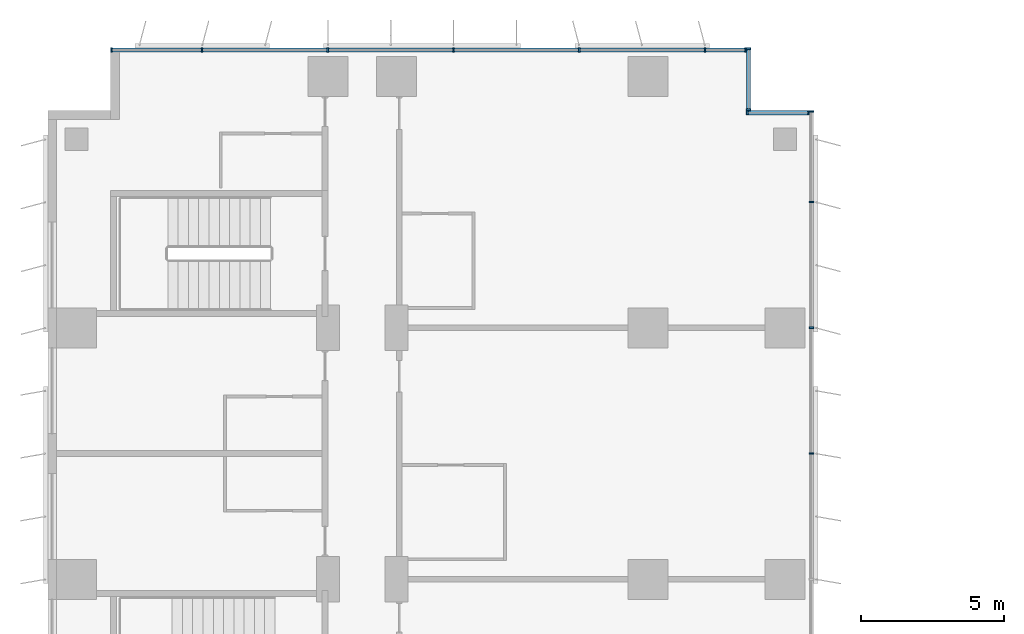
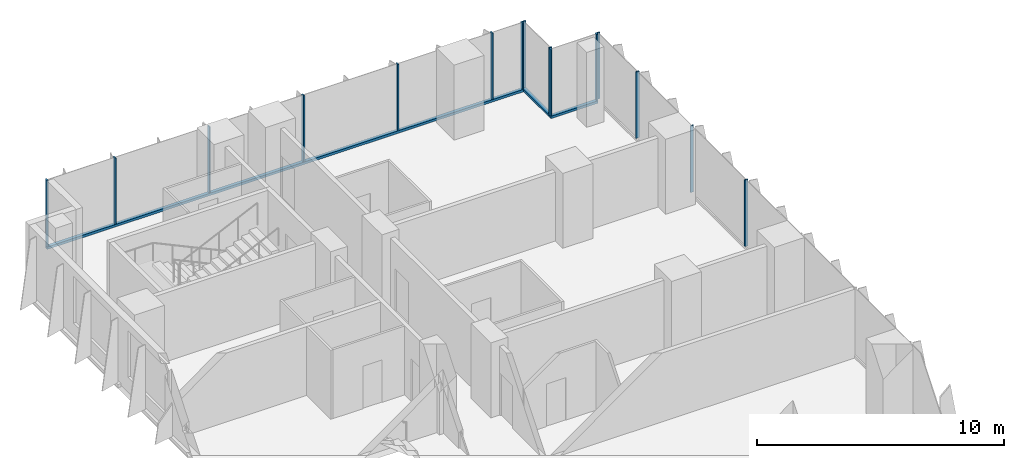
# One storey, part 9 of 24: 18 members, 4 elements without a shape of their own.
"""IFC4 building model written with IfcOpenShell, lengths in metres."""

from ifc_helpers import new_model, si_unit, direction, frame, origin, origin_2d, place, context, subcontext, project, spatial, rectangle, extrude, source, transform, mapped, material, material_profile, profile_set, type_object, element, aggregate, save


model = new_model("IFC4")

# Units and contexts
model_context = context("Model", 3, precision=1e-05, world=origin(), true_north=direction((0.0, 1.0)))
body_context = subcontext(model_context, "Body", "Model", "MODEL_VIEW")
ifc_project = project(units=[si_unit("LENGTHUNIT", "METRE"), si_unit("AREAUNIT", "SQUARE_METRE"), si_unit("VOLUMEUNIT", "CUBIC_METRE"), si_unit("PLANEANGLEUNIT", "RADIAN"), si_unit("MASSUNIT", "GRAM", prefix="KILO")], contexts=[model_context])

# Site, building, storey
site_placement = place(None, origin())
site = spatial("IfcSite", under=ifc_project, at=site_placement, CompositionType="ELEMENT")
building_placement = place(site_placement, origin())
building = spatial("IfcBuilding", under=site, at=building_placement, Name="Kemantara Hotel Tower", CompositionType="ELEMENT")
storey_placement = place(building_placement, frame((0.0, 0.0, 48.800048828125)))
storey = spatial("IfcBuildingStorey", under=building, at=storey_placement, Name="L10", CompositionType="ELEMENT", Elevation=48.800048828125)

# Curtain wall, member
ifc_material_1 = material(Name="Low-E tinted double insulated glass 36 mm", Category="glass")
curtain_wall_type = type_object("IfcCurtainWallType", Name="TOWER CURTAIN WALL, FRONT FACES", PredefinedType="USERDEFINED", material=ifc_material_1)
curtain_wall_1_placement = place(storey_placement, origin())
curtain_wall_1 = element("IfcCurtainWall", 1, at=curtain_wall_1_placement, inside=storey, type_object=curtain_wall_type, Name="CW4 L10 T1-R11-1", ObjectType="TOWER CURTAIN WALL, FRONT FACES", PredefinedType="USERDEFINED")
ifc_material_2 = material(Name="Aluminium 6063-T6 bronze anodised", Category="aluminium")
ifc_material_profile_1 = material_profile(ifc_material_2, rectangle(XDim=0.14990234375, YDim=0.1201171875, at=origin_2d()), Name="TOWER CURTAIN WALL, FRONT FACES TRANSOM")
ifc_profile_set_1 = profile_set([ifc_material_profile_1], Name="Aluminium 6063-T6 bronze anodised")
member_type_1 = type_object("IfcMemberType", Name="TOWER CURTAIN WALL, FRONT FACES TRANSOM", PredefinedType="USERDEFINED", material=ifc_profile_set_1)
member_1_placement = place(storey_placement, frame((24.449951171875, 81.125, 0.06005859375), z_axis=(-1.0, 0.0, 0.0), x_axis=(0.0, -1.0, 0.0)))
member_1 = element("IfcMember", 2, at=member_1_placement, type_object=member_type_1, Name="CW4 sill transom T1-R11-1", ObjectType="TRANSOM", PredefinedType="USERDEFINED", context=body_context, shape_type="SweptSolid", body=[
    extrude(rectangle(XDim=0.14990234375, YDim=0.1201171875, at=origin_2d()), origin(), (0.0, 0.0, 1.0), 22.25),
])

curtain_wall_2_placement = place(storey_placement, origin())
curtain_wall_2 = element("IfcCurtainWall", 3, at=curtain_wall_2_placement, inside=storey, type_object=curtain_wall_type, Name="CW4 L10 T1-R09-1", ObjectType="TOWER CURTAIN WALL, FRONT FACES", PredefinedType="USERDEFINED")
member_2_placement = place(storey_placement, frame((26.64990234375, 78.925048828125, 0.06005859375), z_axis=(-1.0, 0.0, 0.0), x_axis=(0.0, -1.0, 0.0)))
member_2 = element("IfcMember", 4, at=member_2_placement, type_object=member_type_1, Name="CW4 sill transom T1-R09-1", ObjectType="TRANSOM", PredefinedType="USERDEFINED", context=body_context, shape_type="SweptSolid", body=[
    extrude(rectangle(XDim=0.14990234375, YDim=0.1201171875, at=origin_2d()), origin(), (0.0, 0.0, 1.0), 2.199951171875),
])

curtain_wall_3_placement = place(storey_placement, origin())
curtain_wall_3 = element("IfcCurtainWall", 5, at=curtain_wall_3_placement, inside=storey, type_object=curtain_wall_type, Name="CW4 L10 T1-R10-1", ObjectType="TOWER CURTAIN WALL, FRONT FACES", PredefinedType="USERDEFINED")
member_3_placement = place(storey_placement, frame((24.52490234375, 79.0, 0.06005859375), z_axis=(0.0, 1.0, 0.0), x_axis=(-1.0, 0.0, 0.0)))
member_3 = element("IfcMember", 6, at=member_3_placement, type_object=member_type_1, Name="CW4 sill transom T1-R10-1", ObjectType="TRANSOM", PredefinedType="USERDEFINED", context=body_context, shape_type="SweptSolid", body=[
    extrude(rectangle(XDim=0.14990234375, YDim=0.1201171875, at=origin_2d()), origin(), (0.0, 0.0, 1.0), 2.199951171875),
])

# Curtain wall, members
curtain_wall_4_placement = place(storey_placement, origin())
curtain_wall_4 = element("IfcCurtainWall", 7, at=curtain_wall_4_placement, inside=storey, type_object=curtain_wall_type, Name="CW4 L10 T1-R08-1", ObjectType="TOWER CURTAIN WALL, FRONT FACES", PredefinedType="USERDEFINED")
ifc_material_profile_2 = material_profile(ifc_material_2, rectangle(XDim=0.14990234375, YDim=0.06005859375, at=origin_2d()), Name="TOWER CURTAIN WALL, FRONT FACES MULLION")
ifc_profile_set_2 = profile_set([ifc_material_profile_2], Name="Aluminium 6063-T6 bronze anodised")
member_type_2 = type_object("IfcMemberType", Name="TOWER CURTAIN WALL, FRONT FACES MULLION", PredefinedType="MULLION", material=ifc_profile_set_2)
shared_shape = source(origin(), body_context, "Body", "SweptSolid", [
    extrude(rectangle(XDim=0.14990234375, YDim=0.06005859375, at=origin_2d()), origin(), (0.0, 0.0, 1.0), 3.280029296875),
])
member_4_placement = place(storey_placement, frame((26.72509765625, 67.0, 0.119873046875), z_axis=(0.0, 0.0, 1.0), x_axis=(-1.0, 0.0, 0.0)))
member_4 = element("IfcMember", 8, at=member_4_placement, type_object=member_type_2, Name="CW4 mullion T1-R08-1.11", PredefinedType="MULLION", context=body_context, shape_type="MappedRepresentation", body=[
    mapped(shared_shape, transform((0.0, 0.0, 0.0))),
])
member_5_placement = place(storey_placement, frame((26.72509765625, 71.39990234375, 0.119873046875), z_axis=(0.0, 0.0, 1.0), x_axis=(-1.0, 0.0, 0.0)))
member_5 = element("IfcMember", 9, at=member_5_placement, type_object=member_type_2, Name="CW4 mullion T1-R08-1.12", PredefinedType="MULLION", context=body_context, shape_type="MappedRepresentation", body=[
    mapped(shared_shape, transform((0.0, 0.0, 0.0))),
])
member_6_placement = place(storey_placement, frame((26.72509765625, 75.800048828125, 0.119873046875), z_axis=(0.0, 0.0, 1.0), x_axis=(-1.0, 0.0, 0.0)))
member_6 = element("IfcMember", 10, at=member_6_placement, type_object=member_type_2, Name="CW4 mullion T1-R08-1.13", PredefinedType="MULLION", context=body_context, shape_type="MappedRepresentation", body=[
    mapped(shared_shape, transform((0.0, 0.0, 0.0))),
])
member_7_placement = place(storey_placement, frame((26.72509765625, 78.969970703125, 0.119873046875), z_axis=(0.0, 0.0, 1.0), x_axis=(-1.0, 0.0, 0.0)))
member_7 = element("IfcMember", 11, at=member_7_placement, type_object=member_type_2, Name="CW4 mullion T1-R08-1.14", PredefinedType="MULLION", context=body_context, shape_type="MappedRepresentation", body=[
    mapped(shared_shape, transform((0.0, 0.0, 0.0))),
])
aggregate(curtain_wall_4, [member_4, member_5, member_6, member_7])

# Member
member_8_placement = place(storey_placement, frame((24.419921875, 81.125, 0.119873046875), z_axis=(0.0, 0.0, 1.0), x_axis=(0.0, -1.0, 0.0)))
member_8 = element("IfcMember", 12, at=member_8_placement, type_object=member_type_2, Name="CW4 mullion T1-R11-1.1", PredefinedType="MULLION", context=body_context, shape_type="MappedRepresentation", body=[
    mapped(shared_shape, transform((0.0, 0.0, 0.0))),
])

member_9_placement = place(storey_placement, frame((23.0, 81.125, 0.119873046875), z_axis=(0.0, 0.0, 1.0), x_axis=(0.0, -1.0, 0.0)))
member_9 = element("IfcMember", 13, at=member_9_placement, type_object=member_type_2, Name="CW4 mullion T1-R11-1.2", PredefinedType="MULLION", context=body_context, shape_type="MappedRepresentation", body=[
    mapped(shared_shape, transform((0.0, 0.0, 0.0))),
])

member_10_placement = place(storey_placement, frame((18.60009765625, 81.125, 0.119873046875), z_axis=(0.0, 0.0, 1.0), x_axis=(0.0, -1.0, 0.0)))
member_10 = element("IfcMember", 14, at=member_10_placement, type_object=member_type_2, Name="CW4 mullion T1-R11-1.3", PredefinedType="MULLION", context=body_context, shape_type="MappedRepresentation", body=[
    mapped(shared_shape, transform((0.0, 0.0, 0.0))),
])

member_11_placement = place(storey_placement, frame((14.199951171875, 81.125, 0.119873046875), z_axis=(0.0, 0.0, 1.0), x_axis=(0.0, -1.0, 0.0)))
member_11 = element("IfcMember", 15, at=member_11_placement, type_object=member_type_2, Name="CW4 mullion T1-R11-1.4", PredefinedType="MULLION", context=body_context, shape_type="MappedRepresentation", body=[
    mapped(shared_shape, transform((0.0, 0.0, 0.0))),
])

member_12_placement = place(storey_placement, frame((9.800048828125, 81.125, 0.119873046875), z_axis=(0.0, 0.0, 1.0), x_axis=(0.0, -1.0, 0.0)))
member_12 = element("IfcMember", 16, at=member_12_placement, type_object=member_type_2, Name="CW4 mullion T1-R11-1.5", PredefinedType="MULLION", context=body_context, shape_type="MappedRepresentation", body=[
    mapped(shared_shape, transform((0.0, 0.0, 0.0))),
])

member_13_placement = place(storey_placement, frame((5.39990234375, 81.125, 0.119873046875), z_axis=(0.0, 0.0, 1.0), x_axis=(0.0, -1.0, 0.0)))
member_13 = element("IfcMember", 17, at=member_13_placement, type_object=member_type_2, Name="CW4 mullion T1-R11-1.6", PredefinedType="MULLION", context=body_context, shape_type="MappedRepresentation", body=[
    mapped(shared_shape, transform((0.0, 0.0, 0.0))),
])

member_14_placement = place(storey_placement, frame((2.22998046875, 81.125, 0.119873046875), z_axis=(0.0, 0.0, 1.0), x_axis=(0.0, -1.0, 0.0)))
member_14 = element("IfcMember", 18, at=member_14_placement, type_object=member_type_2, Name="CW4 mullion T1-R11-1.7", PredefinedType="MULLION", context=body_context, shape_type="MappedRepresentation", body=[
    mapped(shared_shape, transform((0.0, 0.0, 0.0))),
])

aggregate(curtain_wall_1, [member_1, member_8, member_9, member_10, member_11, member_12, member_13, member_14])

member_15_placement = place(storey_placement, frame((26.6201171875, 78.925048828125, 0.119873046875), z_axis=(0.0, 0.0, 1.0), x_axis=(0.0, -1.0, 0.0)))
member_15 = element("IfcMember", 19, at=member_15_placement, type_object=member_type_2, Name="CW4 mullion T1-R09-1.1", PredefinedType="MULLION", context=body_context, shape_type="MappedRepresentation", body=[
    mapped(shared_shape, transform((0.0, 0.0, 0.0))),
])

member_16_placement = place(storey_placement, frame((24.47998046875, 78.925048828125, 0.119873046875), z_axis=(0.0, 0.0, 1.0), x_axis=(0.0, -1.0, 0.0)))
member_16 = element("IfcMember", 20, at=member_16_placement, type_object=member_type_2, Name="CW4 mullion T1-R09-1.2", PredefinedType="MULLION", context=body_context, shape_type="MappedRepresentation", body=[
    mapped(shared_shape, transform((0.0, 0.0, 0.0))),
])

aggregate(curtain_wall_2, [member_2, member_15, member_16])

member_17_placement = place(storey_placement, frame((24.52490234375, 79.030029296875, 0.119873046875), z_axis=(0.0, 0.0, 1.0), x_axis=(-1.0, 0.0, 0.0)))
member_17 = element("IfcMember", 21, at=member_17_placement, type_object=member_type_2, Name="CW4 mullion T1-R10-1.1", PredefinedType="MULLION", context=body_context, shape_type="MappedRepresentation", body=[
    mapped(shared_shape, transform((0.0, 0.0, 0.0))),
])

member_18_placement = place(storey_placement, frame((24.52490234375, 81.169921875, 0.119873046875), z_axis=(0.0, 0.0, 1.0), x_axis=(-1.0, 0.0, 0.0)))
member_18 = element("IfcMember", 22, at=member_18_placement, type_object=member_type_2, Name="CW4 mullion T1-R10-1.2", PredefinedType="MULLION", context=body_context, shape_type="MappedRepresentation", body=[
    mapped(shared_shape, transform((0.0, 0.0, 0.0))),
])

aggregate(curtain_wall_3, [member_3, member_17, member_18])

save(model, "model.ifc")
